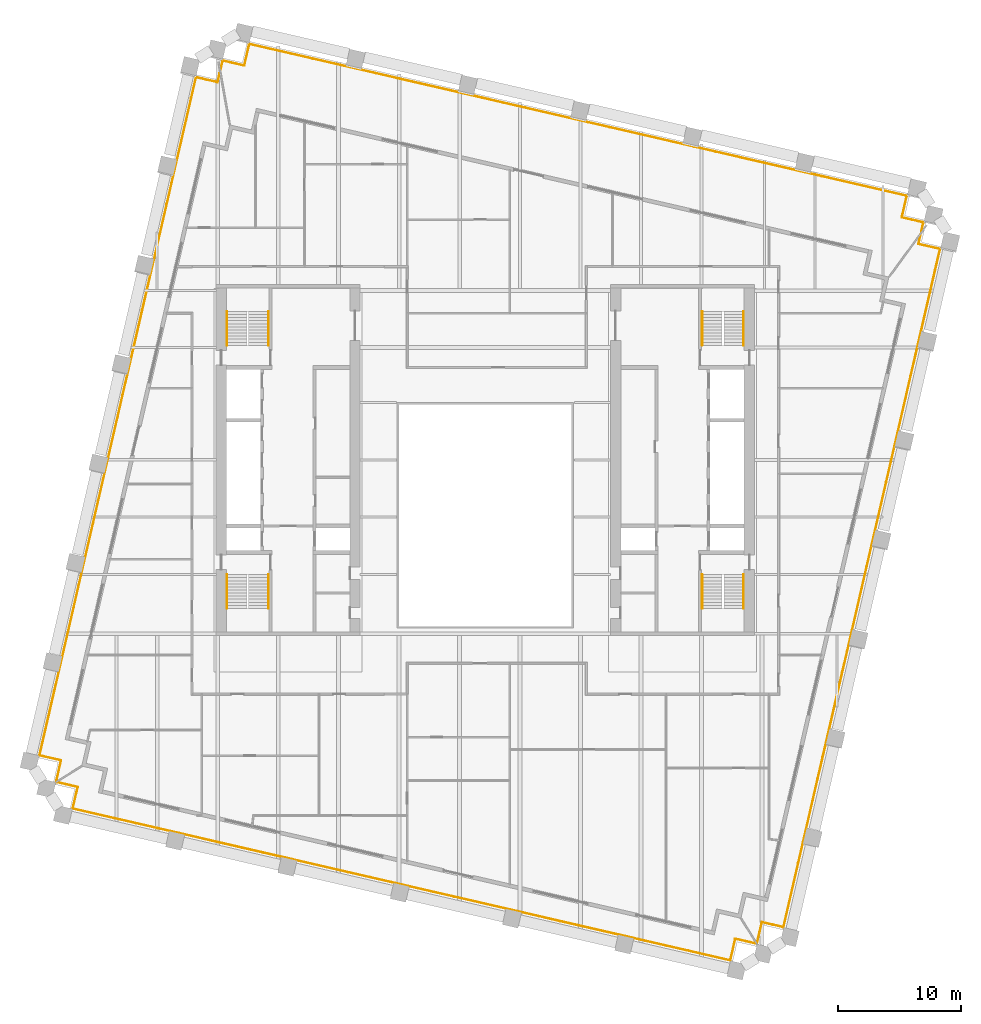
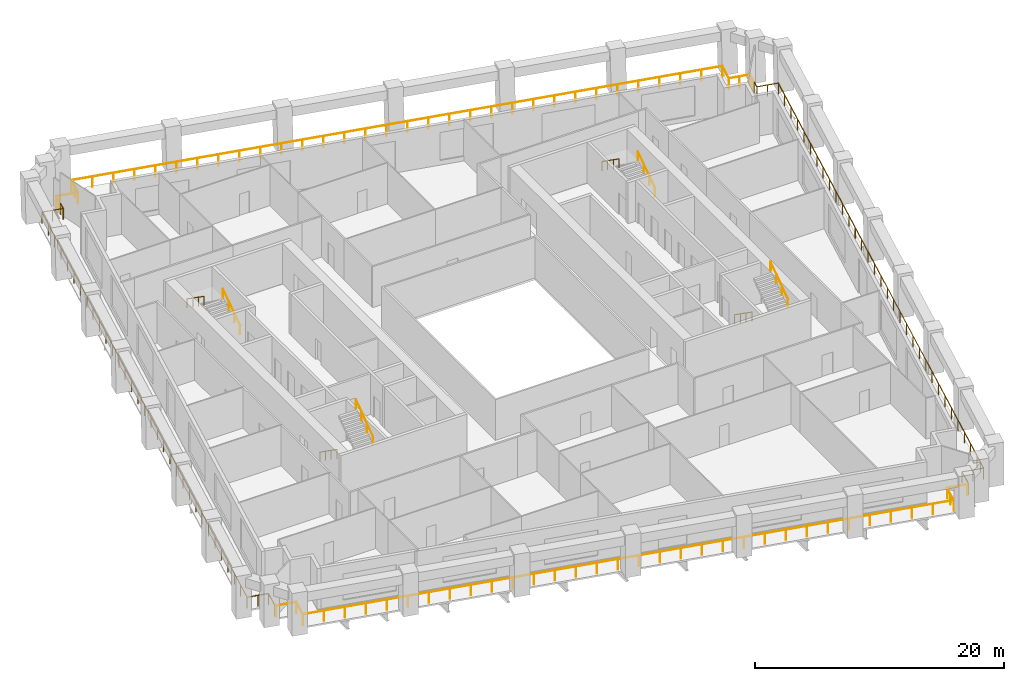
# One storey, part 11 of 11: 12 railings.
"""IFC4 building model written with IfcOpenShell, lengths in metres."""

from ifc_helpers import new_model, si_unit, direction, frame, origin, origin_2d, place, context, subcontext, project, spatial, circle, extrude, material, type_object, element, save


model = new_model("IFC4")

# Units and contexts
model_context = context("Model", 3, precision=1e-05, world=origin(), true_north=direction((0.0, 1.0)))
body_context = subcontext(model_context, "Body", "Model", "MODEL_VIEW")
ifc_project = project(units=[si_unit("LENGTHUNIT", "METRE"), si_unit("AREAUNIT", "SQUARE_METRE"), si_unit("VOLUMEUNIT", "CUBIC_METRE"), si_unit("PLANEANGLEUNIT", "RADIAN"), si_unit("MASSUNIT", "GRAM", prefix="KILO")], contexts=[model_context])

# Site, building, storey
site_placement = place(None, origin())
site = spatial("IfcSite", under=ifc_project, at=site_placement, CompositionType="ELEMENT")
building_placement = place(site_placement, origin())
building = spatial("IfcBuilding", under=site, at=building_placement, Name="Ogive Exchange Tower", CompositionType="ELEMENT")
storey_placement = place(building_placement, frame((0.0, 0.0, 135.0)))
storey = spatial("IfcBuildingStorey", under=building, at=storey_placement, Name="L29", CompositionType="ELEMENT", Elevation=135.0)

# Railings
ifc_material_1 = material(Name="Stainless steel 316", Category="steel")
railing_type_1 = type_object("IfcRailingType", Name="Guard 1100 stainless steel and glass", PredefinedType="GUARDRAIL", material=ifc_material_1)
railing_1_placement = place(storey_placement, frame((21.947265625, -27.74462890625, -0.050048828125)))
element("IfcRailing", 1, at=railing_1_placement, inside=storey, type_object=railing_type_1, Name="Loggia guard 1", PredefinedType="GUARDRAIL", context=body_context, shape_type="SweptSolid", body=[
    extrude(circle(Radius=0.02392578125, at=origin_2d()), frame((0.0, 0.0, 1.076171875), z_axis=(-0.974396013545, 0.224838628327, 0.0), x_axis=(-0.224838628327, -0.974396013545, 0.0)), (0.0, 0.0, 1.0), 1.7080078125),
    extrude(circle(Radius=0.02392578125, at=origin_2d()), frame((-1.664306640625, 0.384033203125, 1.076171875), z_axis=(-0.225008086135, -0.974356896201, 0.0), x_axis=(0.974356896201, -0.225008086135, 0.0)), (0.0, 0.0, 1.0), 1.800048828125),
    extrude(circle(Radius=0.02392578125, at=origin_2d()), frame((-2.0693359375, -1.369873046875, 1.076171875), z_axis=(-0.974368873975, 0.224956212247, 0.0), x_axis=(-0.224956212247, -0.974368873975, 0.0)), (0.0, 0.0, 1.0), 54.760009765625),
    extrude(circle(Radius=0.02392578125, at=origin_2d()), frame((-55.42578125, 10.94873046875, 1.076171875), z_axis=(0.22503782496, 0.974350028141, 0.0), x_axis=(-0.974350028141, 0.22503782496, 0.0)), (0.0, 0.0, 1.0), 1.7998046875),
    extrude(circle(Radius=0.02392578125, at=origin_2d()), frame((-55.020751953125, 12.702392578125, 1.076171875), z_axis=(-0.974364690374, 0.224974332206, 0.0), x_axis=(-0.224974332206, -0.974364690374, 0.0)), (0.0, 0.0, 1.0), 1.7080078125),
    extrude(circle(Radius=0.02099609375, at=origin_2d()), origin(), (0.0, 0.0, 1.0), 1.052001953125),
    extrude(circle(Radius=0.02099609375, at=origin_2d()), frame((-1.664306640625, 0.384033203125, 0.0)), (0.0, 0.0, 1.0), 1.052001953125),
    extrude(circle(Radius=0.02099609375, at=origin_2d()), frame((-1.86669921875, -0.492919921875, 0.0)), (0.0, 0.0, 1.0), 1.052001953125),
    extrude(circle(Radius=0.02099609375, at=origin_2d()), frame((-2.0693359375, -1.369873046875, 0.0)), (0.0, 0.0, 1.0), 1.052001953125),
    extrude(circle(Radius=0.02099609375, at=origin_2d()), frame((-3.79052734375, -0.972412109375, 0.0)), (0.0, 0.0, 1.0), 1.052001953125),
    extrude(circle(Radius=0.02099609375, at=origin_2d()), frame((-5.51171875, -0.5751953125, 0.0)), (0.0, 0.0, 1.0), 1.052001953125),
    extrude(circle(Radius=0.02099609375, at=origin_2d()), frame((-7.23291015625, -0.177734375, 0.0)), (0.0, 0.0, 1.0), 1.052001953125),
    extrude(circle(Radius=0.02099609375, at=origin_2d()), frame((-8.9541015625, 0.2197265625, 0.0)), (0.0, 0.0, 1.0), 1.052001953125),
    extrude(circle(Radius=0.02099609375, at=origin_2d()), frame((-10.67529296875, 0.616943359375, 0.0)), (0.0, 0.0, 1.0), 1.052001953125),
    extrude(circle(Radius=0.02099609375, at=origin_2d()), frame((-12.396484375, 1.014404296875, 0.0)), (0.0, 0.0, 1.0), 1.052001953125),
    extrude(circle(Radius=0.02099609375, at=origin_2d()), frame((-14.11767578125, 1.411865234375, 0.0)), (0.0, 0.0, 1.0), 1.052001953125),
    extrude(circle(Radius=0.02099609375, at=origin_2d()), frame((-15.838623046875, 1.80908203125, 0.0)), (0.0, 0.0, 1.0), 1.052001953125),
    extrude(circle(Radius=0.02099609375, at=origin_2d()), frame((-17.559814453125, 2.20654296875, 0.0)), (0.0, 0.0, 1.0), 1.052001953125),
    extrude(circle(Radius=0.02099609375, at=origin_2d()), frame((-19.281005859375, 2.603759765625, 0.0)), (0.0, 0.0, 1.0), 1.052001953125),
    extrude(circle(Radius=0.02099609375, at=origin_2d()), frame((-21.002197265625, 3.001220703125, 0.0)), (0.0, 0.0, 1.0), 1.052001953125),
    extrude(circle(Radius=0.02099609375, at=origin_2d()), frame((-22.723388671875, 3.398681640625, 0.0)), (0.0, 0.0, 1.0), 1.052001953125),
    extrude(circle(Radius=0.02099609375, at=origin_2d()), frame((-24.444580078125, 3.7958984375, 0.0)), (0.0, 0.0, 1.0), 1.052001953125),
    extrude(circle(Radius=0.02099609375, at=origin_2d()), frame((-26.165771484375, 4.193359375, 0.0)), (0.0, 0.0, 1.0), 1.052001953125),
    extrude(circle(Radius=0.02099609375, at=origin_2d()), frame((-27.886962890625, 4.5908203125, 0.0)), (0.0, 0.0, 1.0), 1.052001953125),
    extrude(circle(Radius=0.02099609375, at=origin_2d()), frame((-29.608154296875, 4.988037109375, 0.0)), (0.0, 0.0, 1.0), 1.052001953125),
    extrude(circle(Radius=0.02099609375, at=origin_2d()), frame((-31.329345703125, 5.385498046875, 0.0)), (0.0, 0.0, 1.0), 1.052001953125),
    extrude(circle(Radius=0.02099609375, at=origin_2d()), frame((-33.050537109375, 5.782958984375, 0.0)), (0.0, 0.0, 1.0), 1.052001953125),
    extrude(circle(Radius=0.02099609375, at=origin_2d()), frame((-34.771728515625, 6.18017578125, 0.0)), (0.0, 0.0, 1.0), 1.052001953125),
    extrude(circle(Radius=0.02099609375, at=origin_2d()), frame((-36.492919921875, 6.57763671875, 0.0)), (0.0, 0.0, 1.0), 1.052001953125),
    extrude(circle(Radius=0.02099609375, at=origin_2d()), frame((-38.214111328125, 6.97509765625, 0.0)), (0.0, 0.0, 1.0), 1.052001953125),
    extrude(circle(Radius=0.02099609375, at=origin_2d()), frame((-39.935302734375, 7.372314453125, 0.0)), (0.0, 0.0, 1.0), 1.052001953125),
    extrude(circle(Radius=0.02099609375, at=origin_2d()), frame((-41.656494140625, 7.769775390625, 0.0)), (0.0, 0.0, 1.0), 1.052001953125),
    extrude(circle(Radius=0.02099609375, at=origin_2d()), frame((-43.37744140625, 8.1669921875, 0.0)), (0.0, 0.0, 1.0), 1.052001953125),
    extrude(circle(Radius=0.02099609375, at=origin_2d()), frame((-45.0986328125, 8.564453125, 0.0)), (0.0, 0.0, 1.0), 1.052001953125),
    extrude(circle(Radius=0.02099609375, at=origin_2d()), frame((-46.81982421875, 8.9619140625, 0.0)), (0.0, 0.0, 1.0), 1.052001953125),
    extrude(circle(Radius=0.02099609375, at=origin_2d()), frame((-48.541015625, 9.359130859375, 0.0)), (0.0, 0.0, 1.0), 1.052001953125),
    extrude(circle(Radius=0.02099609375, at=origin_2d()), frame((-50.26220703125, 9.756591796875, 0.0)), (0.0, 0.0, 1.0), 1.052001953125),
    extrude(circle(Radius=0.02099609375, at=origin_2d()), frame((-51.9833984375, 10.154052734375, 0.0)), (0.0, 0.0, 1.0), 1.052001953125),
    extrude(circle(Radius=0.02099609375, at=origin_2d()), frame((-53.70458984375, 10.55126953125, 0.0)), (0.0, 0.0, 1.0), 1.052001953125),
    extrude(circle(Radius=0.02099609375, at=origin_2d()), frame((-55.42578125, 10.94873046875, 0.0)), (0.0, 0.0, 1.0), 1.052001953125),
    extrude(circle(Radius=0.02099609375, at=origin_2d()), frame((-55.020751953125, 12.702392578125, 0.0)), (0.0, 0.0, 1.0), 1.052001953125),
    extrude(circle(Radius=0.02099609375, at=origin_2d()), frame((-56.68505859375, 13.086669921875, 0.0)), (0.0, 0.0, 1.0), 1.052001953125),
])
railing_2_placement = place(storey_placement, frame((-34.806884765625, -14.547607421875, -0.050048828125)))
element("IfcRailing", 2, at=railing_2_placement, inside=storey, type_object=railing_type_1, Name="Loggia guard 2", PredefinedType="GUARDRAIL", context=body_context, shape_type="SweptSolid", body=[
    extrude(circle(Radius=0.02392578125, at=origin_2d()), frame((0.0, 0.0, 1.076171875), z_axis=(0.224974332206, 0.974364690374, 0.0), x_axis=(-0.974364690374, 0.224974332206, 0.0)), (0.0, 0.0, 1.0), 1.7080078125),
    extrude(circle(Radius=0.02392578125, at=origin_2d()), frame((0.38427734375, 1.664306640625, 1.076171875), z_axis=(-0.974386623598, 0.224879318197, 0.0), x_axis=(-0.224879318197, -0.974386623598, 0.0)), (0.0, 0.0, 1.0), 1.800048828125),
    extrude(circle(Radius=0.02392578125, at=origin_2d()), frame((-1.36962890625, 2.069091796875, 1.076171875), z_axis=(0.224950744538, 0.974370136309, 0.0), x_axis=(-0.974370136309, 0.224950744538, 0.0)), (0.0, 0.0, 1.0), 56.478271484375),
    extrude(circle(Radius=0.02392578125, at=origin_2d()), frame((11.335205078125, 57.099853515625, 1.076171875), z_axis=(0.974356896201, -0.225008086135, 0.0), x_axis=(0.225008086135, 0.974356896201, 0.0)), (0.0, 0.0, 1.0), 1.800048828125),
    extrude(circle(Radius=0.02392578125, at=origin_2d()), frame((13.089111328125, 56.69482421875, 1.076171875), z_axis=(0.225174353772, 0.974318485098, 0.0), x_axis=(-0.974318485098, 0.225174353772, 0.0)), (0.0, 0.0, 1.0), 0.736083984375),
    extrude(circle(Radius=0.02099609375, at=origin_2d()), origin(), (0.0, 0.0, 1.0), 1.052001953125),
    extrude(circle(Radius=0.02099609375, at=origin_2d()), frame((0.38427734375, 1.664306640625, 0.0)), (0.0, 0.0, 1.0), 1.052001953125),
    extrude(circle(Radius=0.02099609375, at=origin_2d()), frame((-0.49267578125, 1.86669921875, 0.0)), (0.0, 0.0, 1.0), 1.052001953125),
    extrude(circle(Radius=0.02099609375, at=origin_2d()), frame((-1.36962890625, 2.069091796875, 0.0)), (0.0, 0.0, 1.0), 1.052001953125),
    extrude(circle(Radius=0.02099609375, at=origin_2d()), frame((-0.97265625, 3.788818359375, 0.0)), (0.0, 0.0, 1.0), 1.052001953125),
    extrude(circle(Radius=0.02099609375, at=origin_2d()), frame((-0.57568359375, 5.508544921875, 0.0)), (0.0, 0.0, 1.0), 1.052001953125),
    extrude(circle(Radius=0.02099609375, at=origin_2d()), frame((-0.178466796875, 7.228271484375, 0.0)), (0.0, 0.0, 1.0), 1.052001953125),
    extrude(circle(Radius=0.02099609375, at=origin_2d()), frame((0.218505859375, 8.947998046875, 0.0)), (0.0, 0.0, 1.0), 1.052001953125),
    extrude(circle(Radius=0.02099609375, at=origin_2d()), frame((0.615478515625, 10.667724609375, 0.0)), (0.0, 0.0, 1.0), 1.052001953125),
    extrude(circle(Radius=0.02099609375, at=origin_2d()), frame((1.012451171875, 12.387451171875, 0.0)), (0.0, 0.0, 1.0), 1.052001953125),
    extrude(circle(Radius=0.02099609375, at=origin_2d()), frame((1.40966796875, 14.107177734375, 0.0)), (0.0, 0.0, 1.0), 1.052001953125),
    extrude(circle(Radius=0.02099609375, at=origin_2d()), frame((1.806640625, 15.82666015625, 0.0)), (0.0, 0.0, 1.0), 1.052001953125),
    extrude(circle(Radius=0.02099609375, at=origin_2d()), frame((2.20361328125, 17.54638671875, 0.0)), (0.0, 0.0, 1.0), 1.052001953125),
    extrude(circle(Radius=0.02099609375, at=origin_2d()), frame((2.6005859375, 19.26611328125, 0.0)), (0.0, 0.0, 1.0), 1.052001953125),
    extrude(circle(Radius=0.02099609375, at=origin_2d()), frame((2.99755859375, 20.98583984375, 0.0)), (0.0, 0.0, 1.0), 1.052001953125),
    extrude(circle(Radius=0.02099609375, at=origin_2d()), frame((3.394775390625, 22.70556640625, 0.0)), (0.0, 0.0, 1.0), 1.052001953125),
    extrude(circle(Radius=0.02099609375, at=origin_2d()), frame((3.791748046875, 24.42529296875, 0.0)), (0.0, 0.0, 1.0), 1.052001953125),
    extrude(circle(Radius=0.02099609375, at=origin_2d()), frame((4.188720703125, 26.14501953125, 0.0)), (0.0, 0.0, 1.0), 1.052001953125),
    extrude(circle(Radius=0.02099609375, at=origin_2d()), frame((4.585693359375, 27.86474609375, 0.0)), (0.0, 0.0, 1.0), 1.052001953125),
    extrude(circle(Radius=0.02099609375, at=origin_2d()), frame((4.98291015625, 29.58447265625, 0.0)), (0.0, 0.0, 1.0), 1.052001953125),
    extrude(circle(Radius=0.02099609375, at=origin_2d()), frame((5.3798828125, 31.30419921875, 0.0)), (0.0, 0.0, 1.0), 1.052001953125),
    extrude(circle(Radius=0.02099609375, at=origin_2d()), frame((5.77685546875, 33.02392578125, 0.0)), (0.0, 0.0, 1.0), 1.052001953125),
    extrude(circle(Radius=0.02099609375, at=origin_2d()), frame((6.173828125, 34.74365234375, 0.0)), (0.0, 0.0, 1.0), 1.052001953125),
    extrude(circle(Radius=0.02099609375, at=origin_2d()), frame((6.57080078125, 36.46337890625, 0.0)), (0.0, 0.0, 1.0), 1.052001953125),
    extrude(circle(Radius=0.02099609375, at=origin_2d()), frame((6.968017578125, 38.18310546875, 0.0)), (0.0, 0.0, 1.0), 1.052001953125),
    extrude(circle(Radius=0.02099609375, at=origin_2d()), frame((7.364990234375, 39.90283203125, 0.0)), (0.0, 0.0, 1.0), 1.052001953125),
    extrude(circle(Radius=0.02099609375, at=origin_2d()), frame((7.761962890625, 41.62255859375, 0.0)), (0.0, 0.0, 1.0), 1.052001953125),
    extrude(circle(Radius=0.02099609375, at=origin_2d()), frame((8.158935546875, 43.34228515625, 0.0)), (0.0, 0.0, 1.0), 1.052001953125),
    extrude(circle(Radius=0.02099609375, at=origin_2d()), frame((8.555908203125, 45.061767578125, 0.0)), (0.0, 0.0, 1.0), 1.052001953125),
    extrude(circle(Radius=0.02099609375, at=origin_2d()), frame((8.953125, 46.781494140625, 0.0)), (0.0, 0.0, 1.0), 1.052001953125),
    extrude(circle(Radius=0.02099609375, at=origin_2d()), frame((9.35009765625, 48.501220703125, 0.0)), (0.0, 0.0, 1.0), 1.052001953125),
    extrude(circle(Radius=0.02099609375, at=origin_2d()), frame((9.7470703125, 50.220947265625, 0.0)), (0.0, 0.0, 1.0), 1.052001953125),
    extrude(circle(Radius=0.02099609375, at=origin_2d()), frame((10.14404296875, 51.940673828125, 0.0)), (0.0, 0.0, 1.0), 1.052001953125),
    extrude(circle(Radius=0.02099609375, at=origin_2d()), frame((10.541259765625, 53.660400390625, 0.0)), (0.0, 0.0, 1.0), 1.052001953125),
    extrude(circle(Radius=0.02099609375, at=origin_2d()), frame((10.938232421875, 55.380126953125, 0.0)), (0.0, 0.0, 1.0), 1.052001953125),
    extrude(circle(Radius=0.02099609375, at=origin_2d()), frame((11.335205078125, 57.099853515625, 0.0)), (0.0, 0.0, 1.0), 1.052001953125),
    extrude(circle(Radius=0.02099609375, at=origin_2d()), frame((12.212158203125, 56.8974609375, 0.0)), (0.0, 0.0, 1.0), 1.052001953125),
    extrude(circle(Radius=0.02099609375, at=origin_2d()), frame((13.089111328125, 56.69482421875, 0.0)), (0.0, 0.0, 1.0), 1.052001953125),
    extrude(circle(Radius=0.02099609375, at=origin_2d()), frame((13.2548828125, 57.412109375, 0.0)), (0.0, 0.0, 1.0), 1.052001953125),
])
railing_3_placement = place(storey_placement, frame((-21.477783203125, 43.18701171875, -0.050048828125)))
element("IfcRailing", 3, at=railing_3_placement, inside=storey, type_object=railing_type_1, Name="Loggia guard 3", PredefinedType="GUARDRAIL", context=body_context, shape_type="SweptSolid", body=[
    extrude(circle(Radius=0.02392578125, at=origin_2d()), frame((0.0, 0.0, 1.076171875), z_axis=(0.225175752935, 0.974318161737, 0.0), x_axis=(-0.974318161737, 0.225175752935, 0.0)), (0.0, 0.0, 1.0), 0.73291015625),
    extrude(circle(Radius=0.02392578125, at=origin_2d()), frame((0.1650390625, 0.714111328125, 1.076171875), z_axis=(0.974350028141, -0.22503782496, 0.0), x_axis=(0.22503782496, 0.974350028141, 0.0)), (0.0, 0.0, 1.0), 1.7998046875),
    extrude(circle(Radius=0.02392578125, at=origin_2d()), frame((1.918701171875, 0.30908203125, 1.076171875), z_axis=(0.225008086135, 0.974356896201, 0.0), x_axis=(-0.974356896201, 0.225008086135, 0.0)), (0.0, 0.0, 1.0), 1.800048828125),
    extrude(circle(Radius=0.02392578125, at=origin_2d()), frame((2.32373046875, 2.06298828125, 1.076171875), z_axis=(0.974369851199, -0.224951979483, 0.0), x_axis=(0.224951979483, 0.974369851199, 0.0)), (0.0, 0.0, 1.0), 54.760009765625),
    extrude(circle(Radius=0.02392578125, at=origin_2d()), frame((55.68017578125, -10.25537109375, 1.076171875), z_axis=(-0.224909041816, -0.974379763188, 0.0), x_axis=(0.974379763188, -0.224909041816, 0.0)), (0.0, 0.0, 1.0), 1.7998046875),
    extrude(circle(Radius=0.02392578125, at=origin_2d()), frame((55.275390625, -12.009033203125, 1.076171875), z_axis=(0.974356896201, -0.225008086135, 0.0), x_axis=(0.225008086135, 0.974356896201, 0.0)), (0.0, 0.0, 1.0), 1.800048828125),
    extrude(circle(Radius=0.02392578125, at=origin_2d()), frame((57.029296875, -12.4140625, 1.076171875), z_axis=(-0.225175752935, -0.974318161737, 0.0), x_axis=(0.974318161737, -0.225175752935, 0.0)), (0.0, 0.0, 1.0), 0.73291015625),
    extrude(circle(Radius=0.02099609375, at=origin_2d()), origin(), (0.0, 0.0, 1.0), 1.052001953125),
    extrude(circle(Radius=0.02099609375, at=origin_2d()), frame((0.1650390625, 0.714111328125, 0.0)), (0.0, 0.0, 1.0), 1.052001953125),
    extrude(circle(Radius=0.02099609375, at=origin_2d()), frame((1.918701171875, 0.30908203125, 0.0)), (0.0, 0.0, 1.0), 1.052001953125),
    extrude(circle(Radius=0.02099609375, at=origin_2d()), frame((2.12109375, 1.18603515625, 0.0)), (0.0, 0.0, 1.0), 1.052001953125),
    extrude(circle(Radius=0.02099609375, at=origin_2d()), frame((2.32373046875, 2.06298828125, 0.0)), (0.0, 0.0, 1.0), 1.052001953125),
    extrude(circle(Radius=0.02099609375, at=origin_2d()), frame((4.044921875, 1.66552734375, 0.0)), (0.0, 0.0, 1.0), 1.052001953125),
    extrude(circle(Radius=0.02099609375, at=origin_2d()), frame((5.76611328125, 1.268310546875, 0.0)), (0.0, 0.0, 1.0), 1.052001953125),
    extrude(circle(Radius=0.02099609375, at=origin_2d()), frame((7.4873046875, 0.870849609375, 0.0)), (0.0, 0.0, 1.0), 1.052001953125),
    extrude(circle(Radius=0.02099609375, at=origin_2d()), frame((9.20849609375, 0.4736328125, 0.0)), (0.0, 0.0, 1.0), 1.052001953125),
    extrude(circle(Radius=0.02099609375, at=origin_2d()), frame((10.9296875, 0.076171875, 0.0)), (0.0, 0.0, 1.0), 1.052001953125),
    extrude(circle(Radius=0.02099609375, at=origin_2d()), frame((12.65087890625, -0.3212890625, 0.0)), (0.0, 0.0, 1.0), 1.052001953125),
    extrude(circle(Radius=0.02099609375, at=origin_2d()), frame((14.3720703125, -0.718505859375, 0.0)), (0.0, 0.0, 1.0), 1.052001953125),
    extrude(circle(Radius=0.02099609375, at=origin_2d()), frame((16.093017578125, -1.115966796875, 0.0)), (0.0, 0.0, 1.0), 1.052001953125),
    extrude(circle(Radius=0.02099609375, at=origin_2d()), frame((17.814208984375, -1.513427734375, 0.0)), (0.0, 0.0, 1.0), 1.052001953125),
    extrude(circle(Radius=0.02099609375, at=origin_2d()), frame((19.535400390625, -1.91064453125, 0.0)), (0.0, 0.0, 1.0), 1.052001953125),
    extrude(circle(Radius=0.02099609375, at=origin_2d()), frame((21.256591796875, -2.30810546875, 0.0)), (0.0, 0.0, 1.0), 1.052001953125),
    extrude(circle(Radius=0.02099609375, at=origin_2d()), frame((22.977783203125, -2.705322265625, 0.0)), (0.0, 0.0, 1.0), 1.052001953125),
    extrude(circle(Radius=0.02099609375, at=origin_2d()), frame((24.698974609375, -3.102783203125, 0.0)), (0.0, 0.0, 1.0), 1.052001953125),
    extrude(circle(Radius=0.02099609375, at=origin_2d()), frame((26.420166015625, -3.500244140625, 0.0)), (0.0, 0.0, 1.0), 1.052001953125),
    extrude(circle(Radius=0.02099609375, at=origin_2d()), frame((28.141357421875, -3.8974609375, 0.0)), (0.0, 0.0, 1.0), 1.052001953125),
    extrude(circle(Radius=0.02099609375, at=origin_2d()), frame((29.862548828125, -4.294921875, 0.0)), (0.0, 0.0, 1.0), 1.052001953125),
    extrude(circle(Radius=0.02099609375, at=origin_2d()), frame((31.583740234375, -4.692138671875, 0.0)), (0.0, 0.0, 1.0), 1.052001953125),
    extrude(circle(Radius=0.02099609375, at=origin_2d()), frame((33.304931640625, -5.089599609375, 0.0)), (0.0, 0.0, 1.0), 1.052001953125),
    extrude(circle(Radius=0.02099609375, at=origin_2d()), frame((35.026123046875, -5.487060546875, 0.0)), (0.0, 0.0, 1.0), 1.052001953125),
    extrude(circle(Radius=0.02099609375, at=origin_2d()), frame((36.747314453125, -5.88427734375, 0.0)), (0.0, 0.0, 1.0), 1.052001953125),
    extrude(circle(Radius=0.02099609375, at=origin_2d()), frame((38.468505859375, -6.28173828125, 0.0)), (0.0, 0.0, 1.0), 1.052001953125),
    extrude(circle(Radius=0.02099609375, at=origin_2d()), frame((40.189697265625, -6.678955078125, 0.0)), (0.0, 0.0, 1.0), 1.052001953125),
    extrude(circle(Radius=0.02099609375, at=origin_2d()), frame((41.910888671875, -7.076416015625, 0.0)), (0.0, 0.0, 1.0), 1.052001953125),
    extrude(circle(Radius=0.02099609375, at=origin_2d()), frame((43.6318359375, -7.473876953125, 0.0)), (0.0, 0.0, 1.0), 1.052001953125),
    extrude(circle(Radius=0.02099609375, at=origin_2d()), frame((45.35302734375, -7.87109375, 0.0)), (0.0, 0.0, 1.0), 1.052001953125),
    extrude(circle(Radius=0.02099609375, at=origin_2d()), frame((47.07421875, -8.2685546875, 0.0)), (0.0, 0.0, 1.0), 1.052001953125),
    extrude(circle(Radius=0.02099609375, at=origin_2d()), frame((48.79541015625, -8.666015625, 0.0)), (0.0, 0.0, 1.0), 1.052001953125),
    extrude(circle(Radius=0.02099609375, at=origin_2d()), frame((50.5166015625, -9.063232421875, 0.0)), (0.0, 0.0, 1.0), 1.052001953125),
    extrude(circle(Radius=0.02099609375, at=origin_2d()), frame((52.23779296875, -9.460693359375, 0.0)), (0.0, 0.0, 1.0), 1.052001953125),
    extrude(circle(Radius=0.02099609375, at=origin_2d()), frame((53.958984375, -9.85791015625, 0.0)), (0.0, 0.0, 1.0), 1.052001953125),
    extrude(circle(Radius=0.02099609375, at=origin_2d()), frame((55.68017578125, -10.25537109375, 0.0)), (0.0, 0.0, 1.0), 1.052001953125),
    extrude(circle(Radius=0.02099609375, at=origin_2d()), frame((55.275390625, -12.009033203125, 0.0)), (0.0, 0.0, 1.0), 1.052001953125),
    extrude(circle(Radius=0.02099609375, at=origin_2d()), frame((56.15234375, -12.21142578125, 0.0)), (0.0, 0.0, 1.0), 1.052001953125),
    extrude(circle(Radius=0.02099609375, at=origin_2d()), frame((57.029296875, -12.4140625, 0.0)), (0.0, 0.0, 1.0), 1.052001953125),
    extrude(circle(Radius=0.02099609375, at=origin_2d()), frame((56.8642578125, -13.128173828125, 0.0)), (0.0, 0.0, 1.0), 1.052001953125),
])
railing_4_placement = place(storey_placement, frame((35.31201171875, 29.736328125, -0.050048828125)))
element("IfcRailing", 4, at=railing_4_placement, inside=storey, type_object=railing_type_1, Name="Loggia guard 4", PredefinedType="GUARDRAIL", context=body_context, shape_type="SweptSolid", body=[
    extrude(circle(Radius=0.02392578125, at=origin_2d()), frame((0.0, 0.0, 1.076171875), z_axis=(-0.224859506699, -0.974391195695, 0.0), x_axis=(0.974391195695, -0.224859506699, 0.0)), (0.0, 0.0, 1.0), 0.736083984375),
    extrude(circle(Radius=0.02392578125, at=origin_2d()), frame((-0.16552734375, -0.71728515625, 1.076171875), z_axis=(0.974386623598, -0.224879318197, 0.0), x_axis=(0.224879318197, 0.974386623598, 0.0)), (0.0, 0.0, 1.0), 1.800048828125),
    extrude(circle(Radius=0.02392578125, at=origin_2d()), frame((1.58837890625, -1.1220703125, 1.076171875), z_axis=(-0.224950744538, -0.974370136309, 0.0), x_axis=(0.974370136309, -0.224950744538, 0.0)), (0.0, 0.0, 1.0), 56.478271484375),
    extrude(circle(Radius=0.02392578125, at=origin_2d()), frame((-11.116455078125, -56.15283203125, 1.076171875), z_axis=(-0.974356896201, 0.225008086135, 0.0), x_axis=(-0.225008086135, -0.974356896201, 0.0)), (0.0, 0.0, 1.0), 1.800048828125),
    extrude(circle(Radius=0.02392578125, at=origin_2d()), frame((-12.870361328125, -55.747802734375, 1.076171875), z_axis=(-0.224974332206, -0.974364690374, 0.0), x_axis=(0.974364690374, -0.224974332206, 0.0)), (0.0, 0.0, 1.0), 1.7080078125),
    extrude(circle(Radius=0.02099609375, at=origin_2d()), origin(), (0.0, 0.0, 1.0), 1.052001953125),
    extrude(circle(Radius=0.02099609375, at=origin_2d()), frame((-0.16552734375, -0.71728515625, 0.0)), (0.0, 0.0, 1.0), 1.052001953125),
    extrude(circle(Radius=0.02099609375, at=origin_2d()), frame((0.71142578125, -0.919677734375, 0.0)), (0.0, 0.0, 1.0), 1.052001953125),
    extrude(circle(Radius=0.02099609375, at=origin_2d()), frame((1.58837890625, -1.1220703125, 0.0)), (0.0, 0.0, 1.0), 1.052001953125),
    extrude(circle(Radius=0.02099609375, at=origin_2d()), frame((1.19140625, -2.841796875, 0.0)), (0.0, 0.0, 1.0), 1.052001953125),
    extrude(circle(Radius=0.02099609375, at=origin_2d()), frame((0.79443359375, -4.5615234375, 0.0)), (0.0, 0.0, 1.0), 1.052001953125),
    extrude(circle(Radius=0.02099609375, at=origin_2d()), frame((0.397216796875, -6.28125, 0.0)), (0.0, 0.0, 1.0), 1.052001953125),
    extrude(circle(Radius=0.02099609375, at=origin_2d()), frame((0.000244140625, -8.0009765625, 0.0)), (0.0, 0.0, 1.0), 1.052001953125),
    extrude(circle(Radius=0.02099609375, at=origin_2d()), frame((-0.396728515625, -9.720703125, 0.0)), (0.0, 0.0, 1.0), 1.052001953125),
    extrude(circle(Radius=0.02099609375, at=origin_2d()), frame((-0.793701171875, -11.4404296875, 0.0)), (0.0, 0.0, 1.0), 1.052001953125),
    extrude(circle(Radius=0.02099609375, at=origin_2d()), frame((-1.19091796875, -13.16015625, 0.0)), (0.0, 0.0, 1.0), 1.052001953125),
    extrude(circle(Radius=0.02099609375, at=origin_2d()), frame((-1.587890625, -14.8798828125, 0.0)), (0.0, 0.0, 1.0), 1.052001953125),
    extrude(circle(Radius=0.02099609375, at=origin_2d()), frame((-1.98486328125, -16.599365234375, 0.0)), (0.0, 0.0, 1.0), 1.052001953125),
    extrude(circle(Radius=0.02099609375, at=origin_2d()), frame((-2.3818359375, -18.319091796875, 0.0)), (0.0, 0.0, 1.0), 1.052001953125),
    extrude(circle(Radius=0.02099609375, at=origin_2d()), frame((-2.77880859375, -20.038818359375, 0.0)), (0.0, 0.0, 1.0), 1.052001953125),
    extrude(circle(Radius=0.02099609375, at=origin_2d()), frame((-3.176025390625, -21.758544921875, 0.0)), (0.0, 0.0, 1.0), 1.052001953125),
    extrude(circle(Radius=0.02099609375, at=origin_2d()), frame((-3.572998046875, -23.478271484375, 0.0)), (0.0, 0.0, 1.0), 1.052001953125),
    extrude(circle(Radius=0.02099609375, at=origin_2d()), frame((-3.969970703125, -25.197998046875, 0.0)), (0.0, 0.0, 1.0), 1.052001953125),
    extrude(circle(Radius=0.02099609375, at=origin_2d()), frame((-4.366943359375, -26.917724609375, 0.0)), (0.0, 0.0, 1.0), 1.052001953125),
    extrude(circle(Radius=0.02099609375, at=origin_2d()), frame((-4.76416015625, -28.637451171875, 0.0)), (0.0, 0.0, 1.0), 1.052001953125),
    extrude(circle(Radius=0.02099609375, at=origin_2d()), frame((-5.1611328125, -30.357177734375, 0.0)), (0.0, 0.0, 1.0), 1.052001953125),
    extrude(circle(Radius=0.02099609375, at=origin_2d()), frame((-5.55810546875, -32.076904296875, 0.0)), (0.0, 0.0, 1.0), 1.052001953125),
    extrude(circle(Radius=0.02099609375, at=origin_2d()), frame((-5.955078125, -33.796630859375, 0.0)), (0.0, 0.0, 1.0), 1.052001953125),
    extrude(circle(Radius=0.02099609375, at=origin_2d()), frame((-6.35205078125, -35.516357421875, 0.0)), (0.0, 0.0, 1.0), 1.052001953125),
    extrude(circle(Radius=0.02099609375, at=origin_2d()), frame((-6.749267578125, -37.236083984375, 0.0)), (0.0, 0.0, 1.0), 1.052001953125),
    extrude(circle(Radius=0.02099609375, at=origin_2d()), frame((-7.146240234375, -38.955810546875, 0.0)), (0.0, 0.0, 1.0), 1.052001953125),
    extrude(circle(Radius=0.02099609375, at=origin_2d()), frame((-7.543212890625, -40.675537109375, 0.0)), (0.0, 0.0, 1.0), 1.052001953125),
    extrude(circle(Radius=0.02099609375, at=origin_2d()), frame((-7.940185546875, -42.39501953125, 0.0)), (0.0, 0.0, 1.0), 1.052001953125),
    extrude(circle(Radius=0.02099609375, at=origin_2d()), frame((-8.337158203125, -44.11474609375, 0.0)), (0.0, 0.0, 1.0), 1.052001953125),
    extrude(circle(Radius=0.02099609375, at=origin_2d()), frame((-8.734375, -45.83447265625, 0.0)), (0.0, 0.0, 1.0), 1.052001953125),
    extrude(circle(Radius=0.02099609375, at=origin_2d()), frame((-9.13134765625, -47.55419921875, 0.0)), (0.0, 0.0, 1.0), 1.052001953125),
    extrude(circle(Radius=0.02099609375, at=origin_2d()), frame((-9.5283203125, -49.27392578125, 0.0)), (0.0, 0.0, 1.0), 1.052001953125),
    extrude(circle(Radius=0.02099609375, at=origin_2d()), frame((-9.92529296875, -50.99365234375, 0.0)), (0.0, 0.0, 1.0), 1.052001953125),
    extrude(circle(Radius=0.02099609375, at=origin_2d()), frame((-10.322509765625, -52.71337890625, 0.0)), (0.0, 0.0, 1.0), 1.052001953125),
    extrude(circle(Radius=0.02099609375, at=origin_2d()), frame((-10.719482421875, -54.43310546875, 0.0)), (0.0, 0.0, 1.0), 1.052001953125),
    extrude(circle(Radius=0.02099609375, at=origin_2d()), frame((-11.116455078125, -56.15283203125, 0.0)), (0.0, 0.0, 1.0), 1.052001953125),
    extrude(circle(Radius=0.02099609375, at=origin_2d()), frame((-11.993408203125, -55.9501953125, 0.0)), (0.0, 0.0, 1.0), 1.052001953125),
    extrude(circle(Radius=0.02099609375, at=origin_2d()), frame((-12.870361328125, -55.747802734375, 0.0)), (0.0, 0.0, 1.0), 1.052001953125),
    extrude(circle(Radius=0.02099609375, at=origin_2d()), frame((-13.254638671875, -57.412109375, 0.0)), (0.0, 0.0, 1.0), 1.052001953125),
])
ifc_material_2 = material(Name="Stainless steel", Category="steel")
railing_type_2 = type_object("IfcRailingType", Name="Stair handrail 900", PredefinedType="HANDRAIL", material=ifc_material_2)
railing_5_placement = place(storey_placement, frame((-20.949951171875, 2.199951171875, 0.175048828125)))
element("IfcRailing", 5, at=railing_5_placement, inside=storey, type_object=railing_type_2, Name="L29 ST1 stair handrail 1", PredefinedType="HANDRAIL", context=body_context, shape_type="SweptSolid", body=[
    extrude(circle(Radius=0.02392578125, at=origin_2d()), frame((0.0, 0.0, 0.8759765625), z_axis=(0.0, -0.819225086817, 0.573472106672), x_axis=(1.0, 0.0, 0.0)), (0.0, 0.0, 1.0), 3.35693359375),
    extrude(circle(Radius=0.02099609375, at=origin_2d()), origin(), (0.0, 0.0, 1.0), 0.851806640625),
    extrude(circle(Radius=0.02099609375, at=origin_2d()), frame((0.0, -0.916748046875, 0.6416015625)), (0.0, 0.0, 1.0), 0.851806640625),
    extrude(circle(Radius=0.02099609375, at=origin_2d()), frame((0.0, -1.833251953125, 1.283447265625)), (0.0, 0.0, 1.0), 0.851806640625),
    extrude(circle(Radius=0.02099609375, at=origin_2d()), frame((0.0, -2.75, 1.925048828125)), (0.0, 0.0, 1.0), 0.851806640625),
])
for number, where, name in (
    (6, (-17.60009765625, -0.550048828125, 2.27490234375), "L29 ST1 stair handrail 2"),
    (7, (-17.60009765625, 20.800048828125, 0.175048828125), "L29 ST2 stair handrail 1"),
):
    element("IfcRailing", number, at=place(storey_placement, frame(where)), inside=storey, type_object=railing_type_2, Name=name, PredefinedType="HANDRAIL", context=body_context, shape_type="SweptSolid", body=[
        extrude(circle(Radius=0.02392578125, at=origin_2d()), frame((0.0, 0.0, 0.8759765625), z_axis=(0.0, 0.819225086817, 0.573472106672), x_axis=(-1.0, 0.0, 0.0)), (0.0, 0.0, 1.0), 3.35693359375),
        extrude(circle(Radius=0.02099609375, at=origin_2d()), origin(), (0.0, 0.0, 1.0), 0.851806640625),
        extrude(circle(Radius=0.02099609375, at=origin_2d()), frame((0.0, 0.916748046875, 0.6416015625)), (0.0, 0.0, 1.0), 0.851806640625),
        extrude(circle(Radius=0.02099609375, at=origin_2d()), frame((0.0, 1.833251953125, 1.283447265625)), (0.0, 0.0, 1.0), 0.851806640625),
        extrude(circle(Radius=0.02099609375, at=origin_2d()), frame((0.0, 2.75, 1.925048828125)), (0.0, 0.0, 1.0), 0.851806640625),
    ])
for number, where, name in (
    (8, (-20.949951171875, 23.550048828125, 2.27490234375), "L29 ST2 stair handrail 2"),
    (9, (17.60009765625, 2.199951171875, 0.175048828125), "L29 ST3 stair handrail 1"),
):
    element("IfcRailing", number, at=place(storey_placement, frame(where)), inside=storey, type_object=railing_type_2, Name=name, PredefinedType="HANDRAIL", context=body_context, shape_type="SweptSolid", body=[
        extrude(circle(Radius=0.02392578125, at=origin_2d()), frame((0.0, 0.0, 0.8759765625), z_axis=(0.0, -0.819225086817, 0.573472106672), x_axis=(1.0, 0.0, 0.0)), (0.0, 0.0, 1.0), 3.35693359375),
        extrude(circle(Radius=0.02099609375, at=origin_2d()), origin(), (0.0, 0.0, 1.0), 0.851806640625),
        extrude(circle(Radius=0.02099609375, at=origin_2d()), frame((0.0, -0.916748046875, 0.6416015625)), (0.0, 0.0, 1.0), 0.851806640625),
        extrude(circle(Radius=0.02099609375, at=origin_2d()), frame((0.0, -1.833251953125, 1.283447265625)), (0.0, 0.0, 1.0), 0.851806640625),
        extrude(circle(Radius=0.02099609375, at=origin_2d()), frame((0.0, -2.75, 1.925048828125)), (0.0, 0.0, 1.0), 0.851806640625),
    ])
for number, where, name in (
    (10, (20.949951171875, -0.550048828125, 2.27490234375), "L29 ST3 stair handrail 2"),
    (11, (20.949951171875, 20.800048828125, 0.175048828125), "L29 ST4 stair handrail 1"),
):
    element("IfcRailing", number, at=place(storey_placement, frame(where)), inside=storey, type_object=railing_type_2, Name=name, PredefinedType="HANDRAIL", context=body_context, shape_type="SweptSolid", body=[
        extrude(circle(Radius=0.02392578125, at=origin_2d()), frame((0.0, 0.0, 0.8759765625), z_axis=(0.0, 0.819225086817, 0.573472106672), x_axis=(-1.0, 0.0, 0.0)), (0.0, 0.0, 1.0), 3.35693359375),
        extrude(circle(Radius=0.02099609375, at=origin_2d()), origin(), (0.0, 0.0, 1.0), 0.851806640625),
        extrude(circle(Radius=0.02099609375, at=origin_2d()), frame((0.0, 0.916748046875, 0.6416015625)), (0.0, 0.0, 1.0), 0.851806640625),
        extrude(circle(Radius=0.02099609375, at=origin_2d()), frame((0.0, 1.833251953125, 1.283447265625)), (0.0, 0.0, 1.0), 0.851806640625),
        extrude(circle(Radius=0.02099609375, at=origin_2d()), frame((0.0, 2.75, 1.925048828125)), (0.0, 0.0, 1.0), 0.851806640625),
    ])
railing_6_placement = place(storey_placement, frame((17.60009765625, 23.550048828125, 2.27490234375)))
element("IfcRailing", 12, at=railing_6_placement, inside=storey, type_object=railing_type_2, Name="L29 ST4 stair handrail 2", PredefinedType="HANDRAIL", context=body_context, shape_type="SweptSolid", body=[
    extrude(circle(Radius=0.02392578125, at=origin_2d()), frame((0.0, 0.0, 0.8759765625), z_axis=(0.0, -0.819225086817, 0.573472106672), x_axis=(1.0, 0.0, 0.0)), (0.0, 0.0, 1.0), 3.35693359375),
    extrude(circle(Radius=0.02099609375, at=origin_2d()), origin(), (0.0, 0.0, 1.0), 0.851806640625),
    extrude(circle(Radius=0.02099609375, at=origin_2d()), frame((0.0, -0.916748046875, 0.6416015625)), (0.0, 0.0, 1.0), 0.851806640625),
    extrude(circle(Radius=0.02099609375, at=origin_2d()), frame((0.0, -1.833251953125, 1.283447265625)), (0.0, 0.0, 1.0), 0.851806640625),
    extrude(circle(Radius=0.02099609375, at=origin_2d()), frame((0.0, -2.75, 1.925048828125)), (0.0, 0.0, 1.0), 0.851806640625),
])

save(model, "model.ifc")
